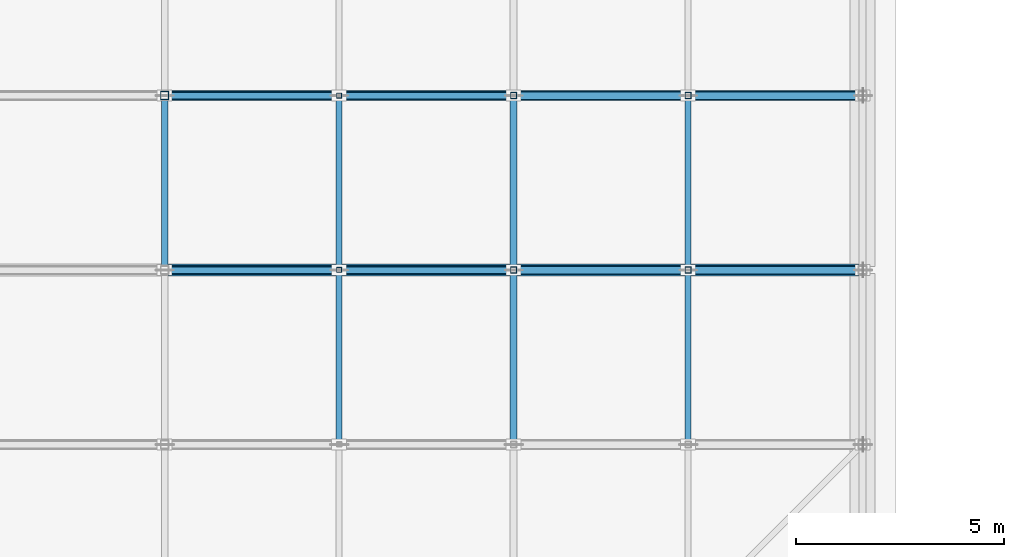
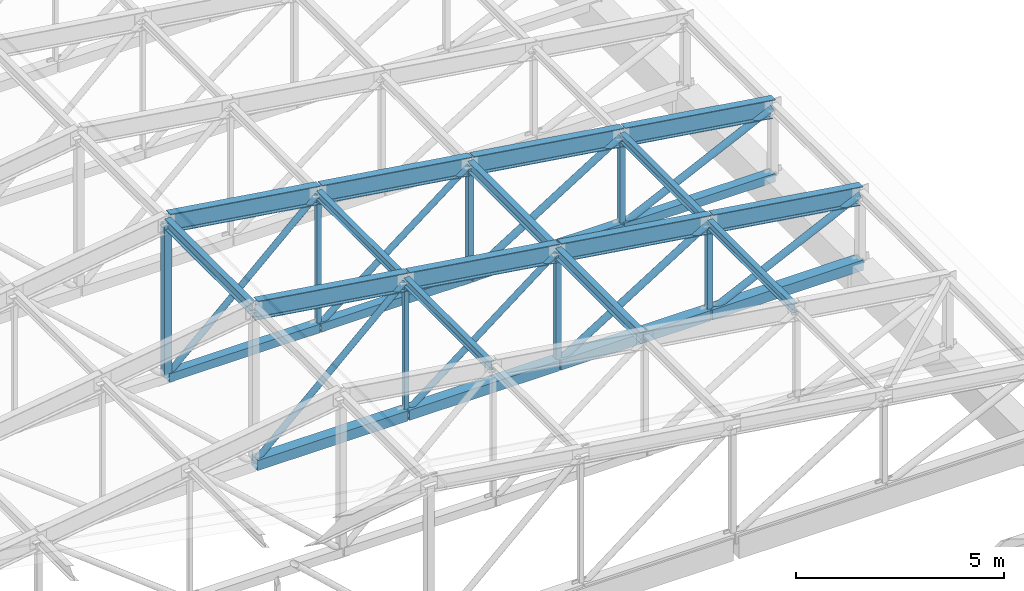
# One storey, part 32 of 122: 38 members.
"""IFC4 building model written with IfcOpenShell, lengths in metres."""

from ifc_helpers import new_model, si_unit, direction, frame, origin, origin_2d, place, context, subcontext, project, spatial, hollow_rectangle, hollow_circle, i_section, extrude, material, material_profile, profile_set, type_object, element, save


model = new_model("IFC4")

# Units and contexts
model_context = context("Model", 3, precision=1e-05, world=origin(), true_north=direction((0.0, 1.0)))
body_context = subcontext(model_context, "Body", "Model", "MODEL_VIEW")
ifc_project = project(units=[si_unit("LENGTHUNIT", "METRE"), si_unit("AREAUNIT", "SQUARE_METRE"), si_unit("VOLUMEUNIT", "CUBIC_METRE"), si_unit("PLANEANGLEUNIT", "RADIAN"), si_unit("MASSUNIT", "GRAM", prefix="KILO")], contexts=[model_context])

# Site, building, storey
site_placement = place(None, origin())
site = spatial("IfcSite", under=ifc_project, at=site_placement, CompositionType="ELEMENT")
building_placement = place(site_placement, origin())
building = spatial("IfcBuilding", under=site, at=building_placement, Name="Telukmera Botanical Conservatory", CompositionType="ELEMENT")
storey_placement = place(building_placement, frame((0.0, 0.0, 10.199951171875)))
storey = spatial("IfcBuildingStorey", under=building, at=storey_placement, Name="L02", CompositionType="ELEMENT", Elevation=10.199951171875)

# Members
ifc_material = material(Name="Steel S355", Category="steel")
ifc_material_profile_1 = material_profile(ifc_material, i_section(OverallWidth=0.210693359375, OverallDepth=0.53955078125, WebThickness=0.01171875, FlangeThickness=0.018798828125, FilletRadius=0.0126953125, at=origin_2d()), Name="UB 533x210x109")
ifc_profile_set_1 = profile_set([ifc_material_profile_1], Name="Steel S355")
member_type_1 = type_object("IfcMemberType", Name="Mem_TC1", PredefinedType="CHORD", material=ifc_profile_set_1)
member_1_placement = place(storey_placement, frame((25.2197265625, 91.60009765625, 4.427734375), z_axis=(0.989022603236, 0.0, -0.147764306545), x_axis=(0.0, 1.0, 0.0)))
element("IfcMember", 1, at=member_1_placement, inside=storey, type_object=member_type_1, Name="Auditorium Pratt Truss Top Chord T3-5", PredefinedType="CHORD", context=body_context, shape_type="SweptSolid", body=[
    extrude(i_section(OverallWidth=0.210693359375, OverallDepth=0.53955078125, WebThickness=0.01171875, FlangeThickness=0.018798828125, FilletRadius=0.0126953125, at=origin_2d()), origin(), (0.0, 0.0, 1.0), 4.20654296875),
])
member_2_placement = place(storey_placement, frame((29.419921875, 91.60009765625, 3.800048828125), z_axis=(0.989021335912, 0.0, -0.147772788805), x_axis=(0.0, 1.0, 0.0)))
element("IfcMember", 2, at=member_2_placement, inside=storey, type_object=member_type_1, Name="Auditorium Pratt Truss Top Chord T3-6", PredefinedType="CHORD", context=body_context, shape_type="SweptSolid", body=[
    extrude(i_section(OverallWidth=0.210693359375, OverallDepth=0.53955078125, WebThickness=0.01171875, FlangeThickness=0.018798828125, FilletRadius=0.0126953125, at=origin_2d()), origin(), (0.0, 0.0, 1.0), 4.206298828125),
])
for number, where, z_axis, x_axis, name in (
    (3, (33.619873046875, 91.60009765625, 3.17236328125), (0.989022603236, 0.0, -0.147764306545), (0.0, 1.0, 0.0), "Auditorium Pratt Truss Top Chord T3-7"),
    (4, (37.81982421875, 91.60009765625, 2.544677734375), (0.989022603236, 0.0, -0.147764306545), (0.0, 1.0, 0.0), "Auditorium Pratt Truss Top Chord T3-8"),
    (5, (25.2197265625, 95.800048828125, 4.427734375), (0.989022603236, 0.0, -0.147764306545), (0.0, 1.0, 0.0), "Auditorium Pratt Truss Top Chord T4-5"),
):
    element("IfcMember", number, at=place(storey_placement, frame(where, z_axis=z_axis, x_axis=x_axis)), inside=storey, type_object=member_type_1, Name=name, PredefinedType="CHORD", context=body_context, shape_type="SweptSolid", body=[
        extrude(i_section(OverallWidth=0.210693359375, OverallDepth=0.53955078125, WebThickness=0.01171875, FlangeThickness=0.018798828125, FilletRadius=0.0126953125, at=origin_2d()), origin(), (0.0, 0.0, 1.0), 4.20654296875),
    ])
member_3_placement = place(storey_placement, frame((29.419921875, 95.800048828125, 3.800048828125), z_axis=(0.989021335912, 0.0, -0.147772788805), x_axis=(0.0, 1.0, 0.0)))
element("IfcMember", 6, at=member_3_placement, inside=storey, type_object=member_type_1, Name="Auditorium Pratt Truss Top Chord T4-6", PredefinedType="CHORD", context=body_context, shape_type="SweptSolid", body=[
    extrude(i_section(OverallWidth=0.210693359375, OverallDepth=0.53955078125, WebThickness=0.01171875, FlangeThickness=0.018798828125, FilletRadius=0.0126953125, at=origin_2d()), origin(), (0.0, 0.0, 1.0), 4.206298828125),
])
for number, where, z_axis, x_axis, name in (
    (7, (33.619873046875, 95.800048828125, 3.17236328125), (0.989022603236, 0.0, -0.147764306545), (0.0, 1.0, 0.0), "Auditorium Pratt Truss Top Chord T4-7"),
    (8, (37.81982421875, 95.800048828125, 2.544677734375), (0.989022603236, 0.0, -0.147764306545), (0.0, 1.0, 0.0), "Auditorium Pratt Truss Top Chord T4-8"),
):
    element("IfcMember", number, at=place(storey_placement, frame(where, z_axis=z_axis, x_axis=x_axis)), inside=storey, type_object=member_type_1, Name=name, PredefinedType="CHORD", context=body_context, shape_type="SweptSolid", body=[
        extrude(i_section(OverallWidth=0.210693359375, OverallDepth=0.53955078125, WebThickness=0.01171875, FlangeThickness=0.018798828125, FilletRadius=0.0126953125, at=origin_2d()), origin(), (0.0, 0.0, 1.0), 4.20654296875),
    ])
ifc_material_profile_2 = material_profile(ifc_material, hollow_rectangle(XDim=0.25, YDim=0.25, WallThickness=0.012451171875, at=origin_2d()), Name="SHS 250x250x12.5")
ifc_profile_set_2 = profile_set([ifc_material_profile_2], Name="Steel S355")
member_type_2 = type_object("IfcMemberType", Name="Mem_TC2", PredefinedType="CHORD", material=ifc_profile_set_2)
member_4_placement = place(storey_placement, frame((25.219970703125, 95.800048828125, -0.079833984375), z_axis=(1.0, 0.0, 0.0), x_axis=(0.0, 1.0, 0.0)))
element("IfcMember", 9, at=member_4_placement, inside=storey, type_object=member_type_2, Name="Auditorium Pratt Truss Bottom Chord T4-5", PredefinedType="CHORD", context=body_context, shape_type="SweptSolid", body=[
    extrude(hollow_rectangle(XDim=0.25, YDim=0.25, WallThickness=0.012451171875, at=origin_2d()), origin(), (0.0, 0.0, 1.0), 4.159912109375),
])
member_5_placement = place(storey_placement, frame((29.419921875, 95.800048828125, -0.079833984375), z_axis=(1.0, 0.0, 0.0), x_axis=(0.0, 1.0, 0.0)))
element("IfcMember", 10, at=member_5_placement, inside=storey, type_object=member_type_2, Name="Auditorium Pratt Truss Bottom Chord T4-6", PredefinedType="CHORD", context=body_context, shape_type="SweptSolid", body=[
    extrude(hollow_rectangle(XDim=0.25, YDim=0.25, WallThickness=0.012451171875, at=origin_2d()), origin(), (0.0, 0.0, 1.0), 4.16015625),
])
member_6_placement = place(storey_placement, frame((33.6201171875, 95.800048828125, -0.079833984375), z_axis=(1.0, 0.0, 0.0), x_axis=(0.0, 1.0, 0.0)))
element("IfcMember", 11, at=member_6_placement, inside=storey, type_object=member_type_2, Name="Auditorium Pratt Truss Bottom Chord T4-7", PredefinedType="CHORD", context=body_context, shape_type="SweptSolid", body=[
    extrude(hollow_rectangle(XDim=0.25, YDim=0.25, WallThickness=0.012451171875, at=origin_2d()), origin(), (0.0, 0.0, 1.0), 4.159912109375),
])
member_7_placement = place(storey_placement, frame((37.820068359375, 95.800048828125, -0.079833984375), z_axis=(1.0, 0.0, 0.0), x_axis=(0.0, 1.0, 0.0)))
element("IfcMember", 12, at=member_7_placement, inside=storey, type_object=member_type_2, Name="Auditorium Pratt Truss Bottom Chord T4-8", PredefinedType="CHORD", context=body_context, shape_type="SweptSolid", body=[
    extrude(hollow_rectangle(XDim=0.25, YDim=0.25, WallThickness=0.012451171875, at=origin_2d()), origin(), (0.0, 0.0, 1.0), 4.179931640625),
])
ifc_material_profile_3 = material_profile(ifc_material, hollow_rectangle(XDim=0.300048828125, YDim=0.300048828125, WallThickness=0.012451171875, at=origin_2d()), Name="SHS 300x300x12.5")
ifc_profile_set_3 = profile_set([ifc_material_profile_3], Name="Steel S355")
member_type_3 = type_object("IfcMemberType", Name="Mem_TC3", PredefinedType="CHORD", material=ifc_profile_set_3)
member_8_placement = place(storey_placement, frame((25.219970703125, 91.60009765625, -0.079833984375), z_axis=(1.0, 0.0, 0.0), x_axis=(0.0, 1.0, 0.0)))
element("IfcMember", 13, at=member_8_placement, inside=storey, type_object=member_type_3, Name="Auditorium Pratt Truss Bottom Chord T3-5", PredefinedType="CHORD", context=body_context, shape_type="SweptSolid", body=[
    extrude(hollow_rectangle(XDim=0.300048828125, YDim=0.300048828125, WallThickness=0.012451171875, at=origin_2d()), origin(), (0.0, 0.0, 1.0), 4.159912109375),
])
member_9_placement = place(storey_placement, frame((29.419921875, 91.60009765625, -0.079833984375), z_axis=(1.0, 0.0, 0.0), x_axis=(0.0, 1.0, 0.0)))
element("IfcMember", 14, at=member_9_placement, inside=storey, type_object=member_type_3, Name="Auditorium Pratt Truss Bottom Chord T3-6", PredefinedType="CHORD", context=body_context, shape_type="SweptSolid", body=[
    extrude(hollow_rectangle(XDim=0.300048828125, YDim=0.300048828125, WallThickness=0.012451171875, at=origin_2d()), origin(), (0.0, 0.0, 1.0), 4.16015625),
])
member_10_placement = place(storey_placement, frame((33.6201171875, 91.60009765625, -0.079833984375), z_axis=(1.0, 0.0, 0.0), x_axis=(0.0, 1.0, 0.0)))
element("IfcMember", 15, at=member_10_placement, inside=storey, type_object=member_type_3, Name="Auditorium Pratt Truss Bottom Chord T3-7", PredefinedType="CHORD", context=body_context, shape_type="SweptSolid", body=[
    extrude(hollow_rectangle(XDim=0.300048828125, YDim=0.300048828125, WallThickness=0.012451171875, at=origin_2d()), origin(), (0.0, 0.0, 1.0), 4.159912109375),
])
member_11_placement = place(storey_placement, frame((37.820068359375, 91.60009765625, -0.079833984375), z_axis=(1.0, 0.0, 0.0), x_axis=(0.0, 1.0, 0.0)))
element("IfcMember", 16, at=member_11_placement, inside=storey, type_object=member_type_3, Name="Auditorium Pratt Truss Bottom Chord T3-8", PredefinedType="CHORD", context=body_context, shape_type="SweptSolid", body=[
    extrude(hollow_rectangle(XDim=0.300048828125, YDim=0.300048828125, WallThickness=0.012451171875, at=origin_2d()), origin(), (0.0, 0.0, 1.0), 4.179931640625),
])
ifc_material_profile_4 = material_profile(ifc_material, hollow_circle(Radius=0.096923828125, WallThickness=0.008056640625, at=origin_2d()), Name="CHS 193.7x8.0")
ifc_profile_set_4 = profile_set([ifc_material_profile_4], Name="Steel S355")
member_type_4 = type_object("IfcMemberType", Name="Mem_TD1", PredefinedType="BRACE", material=ifc_profile_set_4)
member_12_placement = place(storey_placement, frame((33.62548828125, 91.60009765625, -0.06396484375), z_axis=(0.84777122797, 0.0, 0.530362088601), x_axis=(0.0, 1.0, 0.0)))
element("IfcMember", 17, at=member_12_placement, inside=storey, type_object=member_type_4, Name="Auditorium Pratt Truss Web Diagonal T3-D7", PredefinedType="BRACE", context=body_context, shape_type="SweptSolid", body=[
    extrude(hollow_circle(Radius=0.096923828125, WallThickness=0.008056640625, at=origin_2d()), origin(), (0.0, 0.0, 1.0), 4.894287109375),
])
member_13_placement = place(storey_placement, frame((37.8271484375, 91.60009765625, -0.067138671875), z_axis=(0.902843811044, 0.0, 0.429968664973), x_axis=(0.0, 1.0, 0.0)))
element("IfcMember", 18, at=member_13_placement, inside=storey, type_object=member_type_4, Name="Auditorium Pratt Truss Web Diagonal T3-D8", PredefinedType="BRACE", context=body_context, shape_type="SweptSolid", body=[
    extrude(hollow_circle(Radius=0.096923828125, WallThickness=0.008056640625, at=origin_2d()), origin(), (0.0, 0.0, 1.0), 4.591796875),
])
member_14_placement = place(storey_placement, frame((33.62548828125, 95.800048828125, -0.06396484375), z_axis=(0.84777122797, 0.0, 0.530362088601), x_axis=(0.0, 1.0, 0.0)))
element("IfcMember", 19, at=member_14_placement, inside=storey, type_object=member_type_4, Name="Auditorium Pratt Truss Web Diagonal T4-D7", PredefinedType="BRACE", context=body_context, shape_type="SweptSolid", body=[
    extrude(hollow_circle(Radius=0.096923828125, WallThickness=0.008056640625, at=origin_2d()), origin(), (0.0, 0.0, 1.0), 4.894287109375),
])
member_15_placement = place(storey_placement, frame((37.8271484375, 95.800048828125, -0.067138671875), z_axis=(0.902843811044, 0.0, 0.429968664973), x_axis=(0.0, 1.0, 0.0)))
element("IfcMember", 20, at=member_15_placement, inside=storey, type_object=member_type_4, Name="Auditorium Pratt Truss Web Diagonal T4-D8", PredefinedType="BRACE", context=body_context, shape_type="SweptSolid", body=[
    extrude(hollow_circle(Radius=0.096923828125, WallThickness=0.008056640625, at=origin_2d()), origin(), (0.0, 0.0, 1.0), 4.591796875),
])
ifc_material_profile_5 = material_profile(ifc_material, hollow_circle(Radius=0.084228515625, WallThickness=0.008056640625, at=origin_2d()), Name="CHS 168.3x8.0")
ifc_profile_set_5 = profile_set([ifc_material_profile_5], Name="Steel S355")
member_type_5 = type_object("IfcMemberType", Name="Mem_TD2", PredefinedType="BRACE", material=ifc_profile_set_5)
member_16_placement = place(storey_placement, frame((25.221923828125, 91.60009765625, -0.0595703125), z_axis=(0.734277342079, 0.0, 0.678849604044), x_axis=(0.0, 1.0, 0.0)))
element("IfcMember", 21, at=member_16_placement, inside=storey, type_object=member_type_5, Name="Auditorium Pratt Truss Web Diagonal T3-D5", PredefinedType="BRACE", context=body_context, shape_type="SweptSolid", body=[
    extrude(hollow_circle(Radius=0.084228515625, WallThickness=0.008056640625, at=origin_2d()), origin(), (0.0, 0.0, 1.0), 5.659912109375),
])
member_17_placement = place(storey_placement, frame((29.423583984375, 91.60009765625, -0.0615234375), z_axis=(0.790409427435, 0.0, 0.612578923097), x_axis=(0.0, 1.0, 0.0)))
element("IfcMember", 22, at=member_17_placement, inside=storey, type_object=member_type_5, Name="Auditorium Pratt Truss Web Diagonal T3-D6", PredefinedType="BRACE", context=body_context, shape_type="SweptSolid", body=[
    extrude(hollow_circle(Radius=0.084228515625, WallThickness=0.008056640625, at=origin_2d()), origin(), (0.0, 0.0, 1.0), 5.25390625),
])
member_18_placement = place(storey_placement, frame((25.221923828125, 95.800048828125, -0.0595703125), z_axis=(0.734277342079, 0.0, 0.678849604044), x_axis=(0.0, 1.0, 0.0)))
element("IfcMember", 23, at=member_18_placement, inside=storey, type_object=member_type_5, Name="Auditorium Pratt Truss Web Diagonal T4-D5", PredefinedType="BRACE", context=body_context, shape_type="SweptSolid", body=[
    extrude(hollow_circle(Radius=0.084228515625, WallThickness=0.008056640625, at=origin_2d()), origin(), (0.0, 0.0, 1.0), 5.659912109375),
])
member_19_placement = place(storey_placement, frame((29.423583984375, 95.800048828125, -0.0615234375), z_axis=(0.790409427435, 0.0, 0.612578923097), x_axis=(0.0, 1.0, 0.0)))
element("IfcMember", 24, at=member_19_placement, inside=storey, type_object=member_type_5, Name="Auditorium Pratt Truss Web Diagonal T4-D6", PredefinedType="BRACE", context=body_context, shape_type="SweptSolid", body=[
    extrude(hollow_circle(Radius=0.084228515625, WallThickness=0.008056640625, at=origin_2d()), origin(), (0.0, 0.0, 1.0), 5.25390625),
])
ifc_material_profile_6 = material_profile(ifc_material, i_section(OverallWidth=0.165771484375, OverallDepth=0.306640625, WebThickness=0.006591796875, FlangeThickness=0.01171875, FilletRadius=0.0087890625, at=origin_2d()), Name="UB 305x165x46")
ifc_profile_set_6 = profile_set([ifc_material_profile_6], Name="Steel S355")
member_type_6 = type_object("IfcMemberType", Name="Mem_TPB1", PredefinedType="PURLIN", material=ifc_profile_set_6)
for number, where, z_axis, x_axis, name in (
    (25, (33.60009765625, 87.4599609375, 3.175537109375), (0.0, 1.0, 0.0), (-1.0, 0.0, 0.0), "Auditorium Roof Steel Purlin P2-6"),
    (26, (25.199951171875, 91.659912109375, 4.430908203125), (0.0, 1.0, 0.0), (-1.0, 0.0, 0.0), "Auditorium Roof Steel Purlin P3-4"),
    (27, (33.60009765625, 91.659912109375, 3.175537109375), (0.0, 1.0, 0.0), (-1.0, 0.0, 0.0), "Auditorium Roof Steel Purlin P3-6"),
):
    element("IfcMember", number, at=place(storey_placement, frame(where, z_axis=z_axis, x_axis=x_axis)), inside=storey, type_object=member_type_6, Name=name, PredefinedType="PURLIN", context=body_context, shape_type="SweptSolid", body=[
        extrude(i_section(OverallWidth=0.165771484375, OverallDepth=0.306640625, WebThickness=0.006591796875, FlangeThickness=0.01171875, FilletRadius=0.0087890625, at=origin_2d()), origin(), (0.0, 0.0, 1.0), 4.080078125),
    ])
ifc_material_profile_7 = material_profile(ifc_material, i_section(OverallWidth=0.146484375, OverallDepth=0.256103515625, WebThickness=0.00634765625, FlangeThickness=0.010986328125, FilletRadius=0.007568359375, at=origin_2d()), Name="UB 254x146x37")
ifc_profile_set_7 = profile_set([ifc_material_profile_7], Name="Steel S355")
member_type_7 = type_object("IfcMemberType", Name="Mem_TPB2", PredefinedType="PURLIN", material=ifc_profile_set_7)
for number, where, z_axis, x_axis, name in (
    (28, (29.39990234375, 87.4599609375, 3.80322265625), (0.0, 1.0, 0.0), (-1.0, 0.0, 0.0), "Auditorium Roof Steel Purlin P2-5"),
    (29, (37.800048828125, 87.4599609375, 2.5478515625), (0.0, 1.0, 0.0), (-1.0, 0.0, 0.0), "Auditorium Roof Steel Purlin P2-7"),
    (30, (29.39990234375, 91.659912109375, 3.80322265625), (0.0, 1.0, 0.0), (-1.0, 0.0, 0.0), "Auditorium Roof Steel Purlin P3-5"),
    (31, (37.800048828125, 91.659912109375, 2.5478515625), (0.0, 1.0, 0.0), (-1.0, 0.0, 0.0), "Auditorium Roof Steel Purlin P3-7"),
):
    element("IfcMember", number, at=place(storey_placement, frame(where, z_axis=z_axis, x_axis=x_axis)), inside=storey, type_object=member_type_7, Name=name, PredefinedType="PURLIN", context=body_context, shape_type="SweptSolid", body=[
        extrude(i_section(OverallWidth=0.146484375, OverallDepth=0.256103515625, WebThickness=0.00634765625, FlangeThickness=0.010986328125, FilletRadius=0.007568359375, at=origin_2d()), origin(), (0.0, 0.0, 1.0), 4.080078125),
    ])
ifc_material_profile_8 = material_profile(ifc_material, hollow_rectangle(XDim=0.199951171875, YDim=0.199951171875, WallThickness=0.010009765625, at=origin_2d()), Name="SHS 200x200x10.0")
ifc_profile_set_8 = profile_set([ifc_material_profile_8], Name="Steel S355")
member_type_8 = type_object("IfcMemberType", Name="Mem_TV1", PredefinedType="POST", material=ifc_profile_set_8)
member_20_placement = place(storey_placement, frame((25.199951171875, 95.800048828125, -0.06005859375), z_axis=(0.0, 0.0, 1.0), x_axis=(1.0, 0.0, 0.0)))
element("IfcMember", 32, at=member_20_placement, inside=storey, type_object=member_type_8, Name="Auditorium Pratt Truss Vertical T4-V4", PredefinedType="POST", context=body_context, shape_type="SweptSolid", body=[
    extrude(hollow_rectangle(XDim=0.199951171875, YDim=0.199951171875, WallThickness=0.010009765625, at=origin_2d()), origin(), (0.0, 0.0, 1.0), 4.470947265625),
])
ifc_material_profile_9 = material_profile(ifc_material, hollow_rectangle(XDim=0.14990234375, YDim=0.14990234375, WallThickness=0.008056640625, at=origin_2d()), Name="SHS 150x150x8.0")
ifc_profile_set_9 = profile_set([ifc_material_profile_9], Name="Steel S355")
member_type_9 = type_object("IfcMemberType", Name="Mem_TV2", PredefinedType="POST", material=ifc_profile_set_9)
member_21_placement = place(storey_placement, frame((33.60009765625, 91.60009765625, -0.06005859375), z_axis=(0.0, 0.0, 1.0), x_axis=(1.0, 0.0, 0.0)))
element("IfcMember", 33, at=member_21_placement, inside=storey, type_object=member_type_9, Name="Auditorium Pratt Truss Vertical T3-V6", PredefinedType="POST", context=body_context, shape_type="SweptSolid", body=[
    extrude(hollow_rectangle(XDim=0.14990234375, YDim=0.14990234375, WallThickness=0.008056640625, at=origin_2d()), origin(), (0.0, 0.0, 1.0), 3.215576171875),
])
member_22_placement = place(storey_placement, frame((37.800048828125, 91.60009765625, -0.06005859375), z_axis=(0.0, 0.0, 1.0), x_axis=(1.0, 0.0, 0.0)))
element("IfcMember", 34, at=member_22_placement, inside=storey, type_object=member_type_9, Name="Auditorium Pratt Truss Vertical T3-V7", PredefinedType="POST", context=body_context, shape_type="SweptSolid", body=[
    extrude(hollow_rectangle(XDim=0.14990234375, YDim=0.14990234375, WallThickness=0.008056640625, at=origin_2d()), origin(), (0.0, 0.0, 1.0), 2.587890625),
])
member_23_placement = place(storey_placement, frame((33.60009765625, 95.800048828125, -0.06005859375), z_axis=(0.0, 0.0, 1.0), x_axis=(1.0, 0.0, 0.0)))
element("IfcMember", 35, at=member_23_placement, inside=storey, type_object=member_type_9, Name="Auditorium Pratt Truss Vertical T4-V6", PredefinedType="POST", context=body_context, shape_type="SweptSolid", body=[
    extrude(hollow_rectangle(XDim=0.14990234375, YDim=0.14990234375, WallThickness=0.008056640625, at=origin_2d()), origin(), (0.0, 0.0, 1.0), 3.215576171875),
])
member_24_placement = place(storey_placement, frame((37.800048828125, 95.800048828125, -0.06005859375), z_axis=(0.0, 0.0, 1.0), x_axis=(1.0, 0.0, 0.0)))
element("IfcMember", 36, at=member_24_placement, inside=storey, type_object=member_type_9, Name="Auditorium Pratt Truss Vertical T4-V7", PredefinedType="POST", context=body_context, shape_type="SweptSolid", body=[
    extrude(hollow_rectangle(XDim=0.14990234375, YDim=0.14990234375, WallThickness=0.008056640625, at=origin_2d()), origin(), (0.0, 0.0, 1.0), 2.587890625),
])
ifc_material_profile_10 = material_profile(ifc_material, hollow_rectangle(XDim=0.1201171875, YDim=0.1201171875, WallThickness=0.00634765625, at=origin_2d()), Name="SHS 120x120x6.3")
ifc_profile_set_10 = profile_set([ifc_material_profile_10], Name="Steel S355")
member_type_10 = type_object("IfcMemberType", Name="Mem_TV3", PredefinedType="POST", material=ifc_profile_set_10)
for number, where, z_axis, x_axis, name in (
    (37, (29.39990234375, 91.60009765625, -0.06005859375), (0.0, 0.0, 1.0), (1.0, 0.0, 0.0), "Auditorium Pratt Truss Vertical T3-V5"),
    (38, (29.39990234375, 95.800048828125, -0.06005859375), (0.0, 0.0, 1.0), (1.0, 0.0, 0.0), "Auditorium Pratt Truss Vertical T4-V5"),
):
    element("IfcMember", number, at=place(storey_placement, frame(where, z_axis=z_axis, x_axis=x_axis)), inside=storey, type_object=member_type_10, Name=name, PredefinedType="POST", context=body_context, shape_type="SweptSolid", body=[
        extrude(hollow_rectangle(XDim=0.1201171875, YDim=0.1201171875, WallThickness=0.00634765625, at=origin_2d()), origin(), (0.0, 0.0, 1.0), 3.84326171875),
    ])

save(model, "model.ifc")
